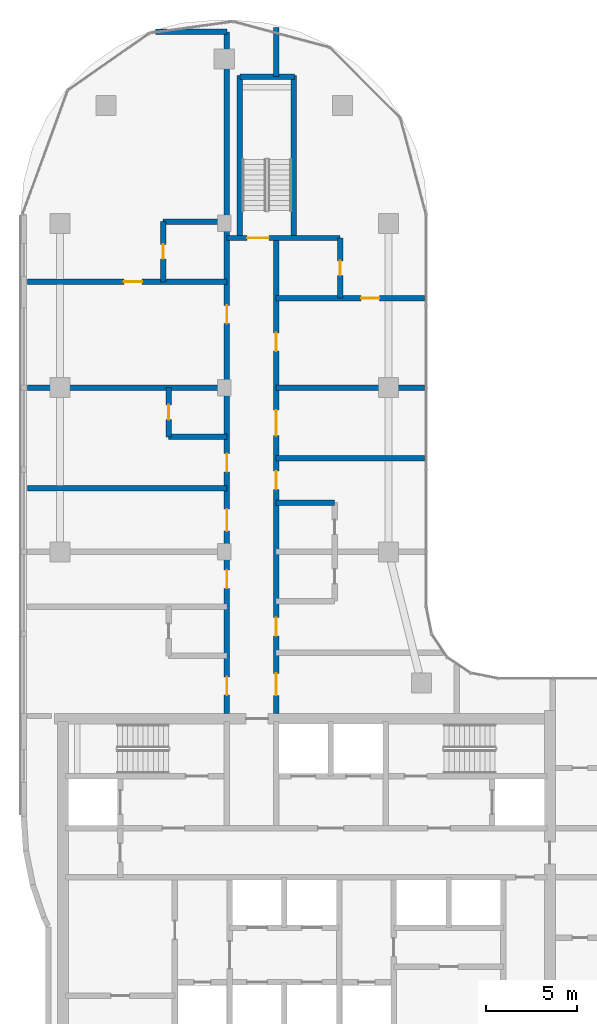
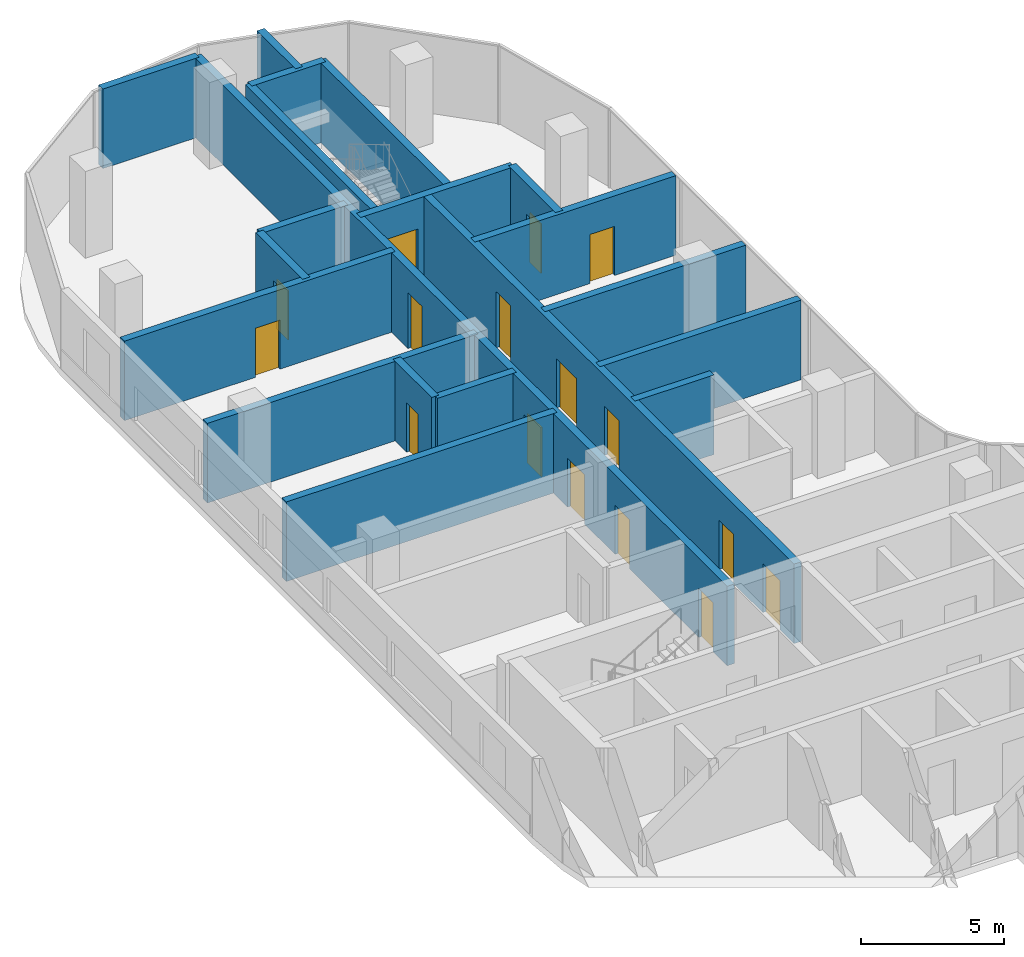
# One storey, part 13 of 23: 20 walls, 16 doors, 16 openings.
"""IFC4 building model written with IfcOpenShell, lengths in metres."""

from ifc_helpers import new_model, si_unit, direction, frame, frame_2d, origin, place, context, subcontext, project, spatial, rectangle, extrude, material, layer, layer_set, type_object, element, fill, save


model = new_model("IFC4")

# Units and contexts
model_context = context("Model", 3, precision=1e-05, world=origin(), true_north=direction((0.0, 1.0)))
body_context = subcontext(model_context, "Body", "Model", "MODEL_VIEW")
ifc_project = project(units=[si_unit("LENGTHUNIT", "METRE"), si_unit("AREAUNIT", "SQUARE_METRE"), si_unit("VOLUMEUNIT", "CUBIC_METRE"), si_unit("PLANEANGLEUNIT", "RADIAN"), si_unit("MASSUNIT", "GRAM", prefix="KILO")], contexts=[model_context])

# Site, building, storey
site_placement = place(None, origin())
site = spatial("IfcSite", under=ifc_project, at=site_placement, CompositionType="ELEMENT")
building_placement = place(site_placement, origin())
building = spatial("IfcBuilding", under=site, at=building_placement, Name="Ogive Portal Towers", CompositionType="ELEMENT")
storey_placement = place(building_placement, frame((0.0, 0.0, 175.5)))
storey = spatial("IfcBuildingStorey", under=building, at=storey_placement, Name="L43", CompositionType="ELEMENT", Elevation=175.5)

# Wall, opening, door
ifc_material_1 = material(Name="Concrete C50/60", Category="concrete")
ifc_layer_1 = layer(ifc_material_1, 0.300048828125)
ifc_layer_set_1 = layer_set([ifc_layer_1], Name="STAIR WALL 300 C50")
wall_type_1 = type_object("IfcWallType", Name="STAIR WALL 300 C50", PredefinedType="SHEAR", material=ifc_layer_set_1)
wall_1_placement = place(storey_placement, frame((40.64990234375, 65.699951171875, 0.0), z_axis=(0.0, 0.0, 1.0), x_axis=(1.0, 0.0, 0.0)))
wall_1 = element("IfcWall", 1, at=wall_1_placement, inside=storey, type_object=wall_type_1, Name="Stair wall ST-A3 L43", PredefinedType="SHEAR", context=body_context, shape_type="SweptSolid", body=[
    extrude(rectangle(XDim=6.2001953125, YDim=0.300048828125, at=frame_2d((3.10009765625, 0.0))), origin(), (0.0, 0.0, 1.0), 3.39990234375),
])
opening_1_placement = place(wall_1_placement, frame((1.10009765625, 0.0, 0.0)))
opening_1 = element("IfcOpeningElement", 2, at=opening_1_placement, cuts=wall_1, Name="Opening D18-053", PredefinedType="OPENING", context=body_context, shape_type="SweptSolid", body=[
    extrude(rectangle(XDim=1.199951171875, YDim=2.10009765625, at=frame_2d((0.60009765625, 1.050048828125))), frame((0.0, 0.16015625, 0.0), z_axis=(0.0, -1.0, 0.0), x_axis=(1.0, 0.0, 0.0)), (0.0, 0.0, 1.0), 0.320068359375),
])
ifc_material_2 = material(Name="Steel fire door", Category="steel")
door_type_1 = type_object("IfcDoorType", Name="DT-STAIR-1200x2100-FD90S", OperationType="SINGLE_SWING_LEFT", PredefinedType="DOOR", material=ifc_material_2)
door_1_placement = place(opening_1_placement, origin())
door_1 = element("IfcDoor", 3, at=door_1_placement, inside=storey, type_object=door_type_1, Name="Door D18-053", OperationType="SINGLE_SWING_RIGHT", OverallHeight=2.10009765625, OverallWidth=1.199951171875, PredefinedType="DOOR", context=body_context, shape_type="SweptSolid", body=[
    extrude(rectangle(XDim=1.199951171875, YDim=2.10009765625, at=frame_2d((0.60009765625, 1.050048828125))), frame((0.0, 0.02490234375, 0.0), z_axis=(0.0, -1.0, 0.0), x_axis=(1.0, 0.0, 0.0)), (0.0, 0.0, 1.0), 0.050048828125),
])
fill(opening_1, door_1)

# Walls
wall_2_placement = place(storey_placement, frame((41.35009765625, 74.550048828125, 0.0), z_axis=(0.0, 0.0, 1.0), x_axis=(1.0, 0.0, 0.0)))
element("IfcWall", 4, at=wall_2_placement, inside=storey, type_object=wall_type_1, Name="Stair wall ST-A3 L43", PredefinedType="SHEAR", context=body_context, shape_type="SweptSolid", body=[
    extrude(rectangle(XDim=3.0, YDim=0.300048828125, at=frame_2d((1.5, 0.0))), origin(), (0.0, 0.0, 1.0), 3.39990234375),
])
wall_3_placement = place(storey_placement, frame((41.35009765625, 65.75, 0.0), z_axis=(0.0, 0.0, 1.0), x_axis=(0.0, 1.0, 0.0)))
element("IfcWall", 5, at=wall_3_placement, inside=storey, type_object=wall_type_1, Name="Stair wall ST-A3 L43", PredefinedType="SHEAR", context=body_context, shape_type="SweptSolid", body=[
    extrude(rectangle(XDim=8.85009765625, YDim=0.300048828125, at=frame_2d((4.425048828125, 0.0))), origin(), (0.0, 0.0, 1.0), 3.39990234375),
])
wall_4_placement = place(storey_placement, frame((44.300048828125, 65.699951171875, 0.0), z_axis=(0.0, 0.0, 1.0), x_axis=(0.0, 1.0, 0.0)))
element("IfcWall", 6, at=wall_4_placement, inside=storey, type_object=wall_type_1, Name="Stair wall ST-A3 L43", PredefinedType="SHEAR", context=body_context, shape_type="SweptSolid", body=[
    extrude(rectangle(XDim=8.900146484375, YDim=0.300048828125, at=frame_2d((4.4501953125, 0.0))), origin(), (0.0, 0.0, 1.0), 3.39990234375),
])
ifc_material_3 = material(Name="Gypsum board partition on steel studs", Category="steel")
ifc_layer_2 = layer(ifc_material_3, 0.300048828125)
ifc_layer_set_2 = layer_set([ifc_layer_2], Name="WT-PART-300-EI 60")
wall_type_2 = type_object("IfcWallType", Name="WT-PART-300-EI 60", PredefinedType="PARTITIONING", material=ifc_layer_set_2)
wall_5_placement = place(storey_placement, frame((43.35009765625, 51.199951171875, 0.0), z_axis=(0.0, 0.0, 1.0), x_axis=(1.0, 0.0, 0.0)))
element("IfcWall", 7, at=wall_5_placement, inside=storey, type_object=wall_type_2, Name="Wall L43:w020", PredefinedType="PARTITIONING", context=body_context, shape_type="SweptSolid", body=[
    extrude(rectangle(XDim=3.199951171875, YDim=0.300048828125, at=frame_2d((1.60009765625, 0.0))), origin(), (0.0, 0.0, 1.0), 3.39990234375),
])
wall_6_placement = place(storey_placement, frame((29.705078125, 51.969970703125, 0.0), z_axis=(0.0, 0.0, 1.0), x_axis=(1.0, 0.0, 0.0)))
element("IfcWall", 8, at=wall_6_placement, inside=storey, type_object=wall_type_2, Name="Wall L43:w021", PredefinedType="PARTITIONING", context=body_context, shape_type="SweptSolid", body=[
    extrude(rectangle(XDim=10.94482421875, YDim=0.300048828125, at=frame_2d((5.472412109375, 0.0))), origin(), (0.0, 0.0, 1.0), 3.39990234375),
])
wall_7_placement = place(storey_placement, frame((43.35009765625, 53.6298828125, 0.0), z_axis=(0.0, 0.0, 1.0), x_axis=(1.0, 0.0, 0.0)))
element("IfcWall", 9, at=wall_7_placement, inside=storey, type_object=wall_type_2, Name="Wall L43:w022", PredefinedType="PARTITIONING", context=body_context, shape_type="SweptSolid", body=[
    extrude(rectangle(XDim=8.125, YDim=0.300048828125, at=frame_2d((4.0625, 0.0))), origin(), (0.0, 0.0, 1.0), 3.39990234375),
])
wall_8_placement = place(storey_placement, frame((37.449951171875, 54.800048828125, 0.0), z_axis=(0.0, 0.0, 1.0), x_axis=(1.0, 0.0, 0.0)))
element("IfcWall", 10, at=wall_8_placement, inside=storey, type_object=wall_type_2, Name="Wall L43:w023", PredefinedType="PARTITIONING", context=body_context, shape_type="SweptSolid", body=[
    extrude(rectangle(XDim=3.199951171875, YDim=0.300048828125, at=frame_2d((1.60009765625, 0.0))), origin(), (0.0, 0.0, 1.0), 3.39990234375),
])
wall_9_placement = place(storey_placement, frame((29.705078125, 57.5, 0.0), z_axis=(0.0, 0.0, 1.0), x_axis=(1.0, 0.0, 0.0)))
element("IfcWall", 11, at=wall_9_placement, inside=storey, type_object=wall_type_2, Name="Wall L43:w024", PredefinedType="PARTITIONING", context=body_context, shape_type="SweptSolid", body=[
    extrude(rectangle(XDim=10.94482421875, YDim=0.300048828125, at=frame_2d((5.472412109375, 0.0))), origin(), (0.0, 0.0, 1.0), 3.39990234375),
])
wall_10_placement = place(storey_placement, frame((43.35009765625, 57.5, 0.0), z_axis=(0.0, 0.0, 1.0), x_axis=(1.0, 0.0, 0.0)))
element("IfcWall", 12, at=wall_10_placement, inside=storey, type_object=wall_type_2, Name="Wall L43:w025", PredefinedType="PARTITIONING", context=body_context, shape_type="SweptSolid", body=[
    extrude(rectangle(XDim=8.125, YDim=0.300048828125, at=frame_2d((4.0625, 0.0))), origin(), (0.0, 0.0, 1.0), 3.39990234375),
])

# Wall, opening, door
wall_11_placement = place(storey_placement, frame((43.35009765625, 62.39990234375, 0.0), z_axis=(0.0, 0.0, 1.0), x_axis=(1.0, 0.0, 0.0)))
wall_11 = element("IfcWall", 13, at=wall_11_placement, inside=storey, type_object=wall_type_2, Name="Wall L43:w026", PredefinedType="PARTITIONING", context=body_context, shape_type="SweptSolid", body=[
    extrude(rectangle(XDim=8.125, YDim=0.300048828125, at=frame_2d((4.0625, 0.0))), origin(), (0.0, 0.0, 1.0), 3.39990234375),
])
opening_2_placement = place(wall_11_placement, frame((4.64990234375, 0.0, 0.0)))
opening_2 = element("IfcOpeningElement", 14, at=opening_2_placement, cuts=wall_11, Name="Opening D18-044", PredefinedType="OPENING", context=body_context, shape_type="SweptSolid", body=[
    extrude(rectangle(XDim=1.0, YDim=2.10009765625, at=frame_2d((0.5, 1.050048828125))), frame((0.0, 0.16015625, 0.0), z_axis=(0.0, -1.0, 0.0), x_axis=(1.0, 0.0, 0.0)), (0.0, 0.0, 1.0), 0.320068359375),
])
door_type_2 = type_object("IfcDoorType", Name="DT-ENTRY-1000x2100-FD60S", OperationType="SINGLE_SWING_LEFT", PredefinedType="DOOR", material=ifc_material_2)
door_2_placement = place(opening_2_placement, origin())
door_2 = element("IfcDoor", 15, at=door_2_placement, inside=storey, type_object=door_type_2, Name="Door D18-044", OperationType="SINGLE_SWING_RIGHT", OverallHeight=2.10009765625, OverallWidth=1.0, PredefinedType="DOOR", context=body_context, shape_type="SweptSolid", body=[
    extrude(rectangle(XDim=1.0, YDim=2.10009765625, at=frame_2d((0.5, 1.050048828125))), frame((0.0, 0.02490234375, 0.0), z_axis=(0.0, -1.0, 0.0), x_axis=(1.0, 0.0, 0.0)), (0.0, 0.0, 1.0), 0.050048828125),
])
fill(opening_2, door_2)

wall_12_placement = place(storey_placement, frame((29.705078125, 63.300048828125, 0.0), z_axis=(0.0, 0.0, 1.0), x_axis=(1.0, 0.0, 0.0)))
wall_12 = element("IfcWall", 16, at=wall_12_placement, inside=storey, type_object=wall_type_2, Name="Wall L43:w027", PredefinedType="PARTITIONING", context=body_context, shape_type="SweptSolid", body=[
    extrude(rectangle(XDim=10.94482421875, YDim=0.300048828125, at=frame_2d((5.472412109375, 0.0))), origin(), (0.0, 0.0, 1.0), 3.39990234375),
])
opening_3_placement = place(wall_12_placement, frame((5.294921875, 0.0, 0.0)))
opening_3 = element("IfcOpeningElement", 17, at=opening_3_placement, cuts=wall_12, Name="Opening D18-047", PredefinedType="OPENING", context=body_context, shape_type="SweptSolid", body=[
    extrude(rectangle(XDim=1.0, YDim=2.10009765625, at=frame_2d((0.5, 1.050048828125))), frame((0.0, 0.16015625, 0.0), z_axis=(0.0, -1.0, 0.0), x_axis=(1.0, 0.0, 0.0)), (0.0, 0.0, 1.0), 0.320068359375),
])
door_3_placement = place(opening_3_placement, origin())
door_3 = element("IfcDoor", 18, at=door_3_placement, inside=storey, type_object=door_type_2, Name="Door D18-047", OperationType="SINGLE_SWING_RIGHT", OverallHeight=2.10009765625, OverallWidth=1.0, PredefinedType="DOOR", context=body_context, shape_type="SweptSolid", body=[
    extrude(rectangle(XDim=1.0, YDim=2.10009765625, at=frame_2d((0.5, 1.050048828125))), frame((0.0, 0.02490234375, 0.0), z_axis=(0.0, -1.0, 0.0), x_axis=(1.0, 0.0, 0.0)), (0.0, 0.0, 1.0), 0.050048828125),
])
fill(opening_3, door_3)

# Walls
wall_13_placement = place(storey_placement, frame((37.14990234375, 66.60009765625, 0.0), z_axis=(0.0, 0.0, 1.0), x_axis=(1.0, 0.0, 0.0)))
element("IfcWall", 19, at=wall_13_placement, inside=storey, type_object=wall_type_2, Name="Wall L43:w029", PredefinedType="PARTITIONING", context=body_context, shape_type="SweptSolid", body=[
    extrude(rectangle(XDim=3.5, YDim=0.300048828125, at=frame_2d((1.75, 0.0))), origin(), (0.0, 0.0, 1.0), 3.39990234375),
])
wall_14_placement = place(storey_placement, frame((36.743896484375, 77.0, 0.0), z_axis=(0.0, 0.0, 1.0), x_axis=(1.0, 0.0, 0.0)))
element("IfcWall", 20, at=wall_14_placement, inside=storey, type_object=wall_type_2, Name="Wall L43:w031", PredefinedType="PARTITIONING", context=body_context, shape_type="SweptSolid", body=[
    extrude(rectangle(XDim=3.906005859375, YDim=0.300048828125, at=frame_2d((1.953125, 0.0))), origin(), (0.0, 0.0, 1.0), 3.39990234375),
])

# Wall, opening, door
wall_15_placement = place(storey_placement, frame((37.14990234375, 63.300048828125, 0.0), z_axis=(0.0, 0.0, 1.0), x_axis=(0.0, 1.0, 0.0)))
wall_15 = element("IfcWall", 21, at=wall_15_placement, inside=storey, type_object=wall_type_2, Name="Wall L43:w032", PredefinedType="PARTITIONING", context=body_context, shape_type="SweptSolid", body=[
    extrude(rectangle(XDim=3.300048828125, YDim=0.300048828125, at=frame_2d((1.64990234375, 0.0))), origin(), (0.0, 0.0, 1.0), 3.39990234375),
])
opening_4_placement = place(wall_15_placement, frame((1.25, 0.0, 0.0)))
opening_4 = element("IfcOpeningElement", 22, at=opening_4_placement, cuts=wall_15, Name="Opening D18-048", PredefinedType="OPENING", context=body_context, shape_type="SweptSolid", body=[
    extrude(rectangle(XDim=0.800048828125, YDim=2.10009765625, at=frame_2d((0.39990234375, 1.050048828125))), frame((0.0, 0.16015625, 0.0), z_axis=(0.0, -1.0, 0.0), x_axis=(1.0, 0.0, 0.0)), (0.0, 0.0, 1.0), 0.320068359375),
])
door_type_3 = type_object("IfcDoorType", Name="DT-BATH-800x2100-FD60S", OperationType="SINGLE_SWING_LEFT", PredefinedType="DOOR", material=ifc_material_2)
door_4_placement = place(opening_4_placement, origin())
door_4 = element("IfcDoor", 23, at=door_4_placement, inside=storey, type_object=door_type_3, Name="Door D18-048", OperationType="SINGLE_SWING_LEFT", OverallHeight=2.10009765625, OverallWidth=0.800048828125, PredefinedType="DOOR", context=body_context, shape_type="SweptSolid", body=[
    extrude(rectangle(XDim=0.800048828125, YDim=2.10009765625, at=frame_2d((0.39990234375, 1.050048828125))), frame((0.0, 0.02490234375, 0.0), z_axis=(0.0, -1.0, 0.0), x_axis=(1.0, 0.0, 0.0)), (0.0, 0.0, 1.0), 0.050048828125),
])
fill(opening_4, door_4)

wall_16_placement = place(storey_placement, frame((37.449951171875, 54.800048828125, 0.0), z_axis=(0.0, 0.0, 1.0), x_axis=(0.0, 1.0, 0.0)))
wall_16 = element("IfcWall", 24, at=wall_16_placement, inside=storey, type_object=wall_type_2, Name="Wall L43:w034", PredefinedType="PARTITIONING", context=body_context, shape_type="SweptSolid", body=[
    extrude(rectangle(XDim=2.699951171875, YDim=0.300048828125, at=frame_2d((1.35009765625, 0.0))), origin(), (0.0, 0.0, 1.0), 3.39990234375),
])
opening_5_placement = place(wall_16_placement, frame((0.949951171875, 0.0, 0.0)))
opening_5 = element("IfcOpeningElement", 25, at=opening_5_placement, cuts=wall_16, Name="Opening D18-041", PredefinedType="OPENING", context=body_context, shape_type="SweptSolid", body=[
    extrude(rectangle(XDim=0.800048828125, YDim=2.10009765625, at=frame_2d((0.39990234375, 1.050048828125))), frame((0.0, 0.16015625, 0.0), z_axis=(0.0, -1.0, 0.0), x_axis=(1.0, 0.0, 0.0)), (0.0, 0.0, 1.0), 0.320068359375),
])
door_5_placement = place(opening_5_placement, origin())
door_5 = element("IfcDoor", 26, at=door_5_placement, inside=storey, type_object=door_type_3, Name="Door D18-041", OperationType="SINGLE_SWING_LEFT", OverallHeight=2.10009765625, OverallWidth=0.800048828125, PredefinedType="DOOR", context=body_context, shape_type="SweptSolid", body=[
    extrude(rectangle(XDim=0.800048828125, YDim=2.10009765625, at=frame_2d((0.39990234375, 1.050048828125))), frame((0.0, 0.02490234375, 0.0), z_axis=(0.0, -1.0, 0.0), x_axis=(1.0, 0.0, 0.0)), (0.0, 0.0, 1.0), 0.050048828125),
])
fill(opening_5, door_5)

# Wall, openings, doors
wall_17_placement = place(storey_placement, frame((40.64990234375, 39.64990234375, 0.0), z_axis=(0.0, 0.0, 1.0), x_axis=(0.0, 1.0, 0.0)))
wall_17 = element("IfcWall", 27, at=wall_17_placement, inside=storey, type_object=wall_type_2, Name="Wall L43:w035", PredefinedType="PARTITIONING", context=body_context, shape_type="SweptSolid", body=[
    extrude(rectangle(XDim=37.35009765625, YDim=0.300048828125, at=frame_2d((18.675048828125, 0.0))), origin(), (0.0, 0.0, 1.0), 3.39990234375),
])
opening_6_placement = place(wall_17_placement, frame((1.0, 0.0, 0.0)))
opening_6 = element("IfcOpeningElement", 28, at=opening_6_placement, cuts=wall_17, Name="Opening D18-035", PredefinedType="OPENING", context=body_context, shape_type="SweptSolid", body=[
    extrude(rectangle(XDim=1.0, YDim=2.10009765625, at=frame_2d((0.5, 1.050048828125))), frame((0.0, 0.16015625, 0.0), z_axis=(0.0, -1.0, 0.0), x_axis=(1.0, 0.0, 0.0)), (0.0, 0.0, 1.0), 0.320068359375),
])
opening_7_placement = place(wall_17_placement, frame((6.85009765625, 0.0, 0.0)))
opening_7 = element("IfcOpeningElement", 29, at=opening_7_placement, cuts=wall_17, Name="Opening D18-036", PredefinedType="OPENING", context=body_context, shape_type="SweptSolid", body=[
    extrude(rectangle(XDim=1.0, YDim=2.10009765625, at=frame_2d((0.5, 1.050048828125))), frame((0.0, 0.16015625, 0.0), z_axis=(0.0, -1.0, 0.0), x_axis=(1.0, 0.0, 0.0)), (0.0, 0.0, 1.0), 0.320068359375),
])
opening_8_placement = place(wall_17_placement, frame((9.985107421875, 0.0, 0.0)))
opening_8 = element("IfcOpeningElement", 30, at=opening_8_placement, cuts=wall_17, Name="Opening D18-040", PredefinedType="OPENING", context=body_context, shape_type="SweptSolid", body=[
    extrude(rectangle(XDim=1.199951171875, YDim=2.10009765625, at=frame_2d((0.60009765625, 1.050048828125))), frame((0.0, 0.16015625, 0.0), z_axis=(0.0, -1.0, 0.0), x_axis=(1.0, 0.0, 0.0)), (0.0, 0.0, 1.0), 0.320068359375),
])
opening_9_placement = place(wall_17_placement, frame((13.235107421875, 0.0, 0.0)))
opening_9 = element("IfcOpeningElement", 31, at=opening_9_placement, cuts=wall_17, Name="Opening D18-042", PredefinedType="OPENING", context=body_context, shape_type="SweptSolid", body=[
    extrude(rectangle(XDim=1.0, YDim=2.10009765625, at=frame_2d((0.5, 1.050048828125))), frame((0.0, 0.16015625, 0.0), z_axis=(0.0, -1.0, 0.0), x_axis=(1.0, 0.0, 0.0)), (0.0, 0.0, 1.0), 0.320068359375),
])
opening_10_placement = place(wall_17_placement, frame((21.35009765625, 0.0, 0.0)))
opening_10 = element("IfcOpeningElement", 32, at=opening_10_placement, cuts=wall_17, Name="Opening D18-046", PredefinedType="OPENING", context=body_context, shape_type="SweptSolid", body=[
    extrude(rectangle(XDim=1.0, YDim=2.39990234375, at=frame_2d((0.5, 1.199951171875))), frame((0.0, 0.16015625, 0.0), z_axis=(0.0, -1.0, 0.0), x_axis=(1.0, 0.0, 0.0)), (0.0, 0.0, 1.0), 0.320068359375),
])
door_6_placement = place(opening_6_placement, origin())
door_6 = element("IfcDoor", 33, at=door_6_placement, inside=storey, type_object=door_type_2, Name="Door D18-035", OperationType="SINGLE_SWING_LEFT", OverallHeight=2.10009765625, OverallWidth=1.0, PredefinedType="DOOR", context=body_context, shape_type="SweptSolid", body=[
    extrude(rectangle(XDim=1.0, YDim=2.10009765625, at=frame_2d((0.5, 1.050048828125))), frame((0.0, 0.02490234375, 0.0), z_axis=(0.0, -1.0, 0.0), x_axis=(1.0, 0.0, 0.0)), (0.0, 0.0, 1.0), 0.050048828125),
])
fill(opening_6, door_6)
door_7_placement = place(opening_7_placement, origin())
door_7 = element("IfcDoor", 34, at=door_7_placement, inside=storey, type_object=door_type_2, Name="Door D18-036", OperationType="SINGLE_SWING_LEFT", OverallHeight=2.10009765625, OverallWidth=1.0, PredefinedType="DOOR", context=body_context, shape_type="SweptSolid", body=[
    extrude(rectangle(XDim=1.0, YDim=2.10009765625, at=frame_2d((0.5, 1.050048828125))), frame((0.0, 0.02490234375, 0.0), z_axis=(0.0, -1.0, 0.0), x_axis=(1.0, 0.0, 0.0)), (0.0, 0.0, 1.0), 0.050048828125),
])
fill(opening_7, door_7)
door_8_placement = place(opening_9_placement, origin())
door_8 = element("IfcDoor", 35, at=door_8_placement, inside=storey, type_object=door_type_2, Name="Door D18-042", OperationType="SINGLE_SWING_RIGHT", OverallHeight=2.10009765625, OverallWidth=1.0, PredefinedType="DOOR", context=body_context, shape_type="SweptSolid", body=[
    extrude(rectangle(XDim=1.0, YDim=2.10009765625, at=frame_2d((0.5, 1.050048828125))), frame((0.0, 0.02490234375, 0.0), z_axis=(0.0, -1.0, 0.0), x_axis=(1.0, 0.0, 0.0)), (0.0, 0.0, 1.0), 0.050048828125),
])
fill(opening_9, door_8)
door_type_4 = type_object("IfcDoorType", Name="DT-ENTRY-1000x2400-FD60S", OperationType="SINGLE_SWING_LEFT", PredefinedType="DOOR", material=ifc_material_2)
door_9_placement = place(opening_10_placement, origin())
door_9 = element("IfcDoor", 36, at=door_9_placement, inside=storey, type_object=door_type_4, Name="Door D18-046", OperationType="SINGLE_SWING_LEFT", OverallHeight=2.39990234375, OverallWidth=1.0, PredefinedType="DOOR", context=body_context, shape_type="SweptSolid", body=[
    extrude(rectangle(XDim=1.0, YDim=2.39990234375, at=frame_2d((0.5, 1.199951171875))), frame((0.0, 0.02490234375, 0.0), z_axis=(0.0, -1.0, 0.0), x_axis=(1.0, 0.0, 0.0)), (0.0, 0.0, 1.0), 0.050048828125),
])
fill(opening_10, door_9)
door_type_5 = type_object("IfcDoorType", Name="DT-ENTRY-1200x2100-FD60S", OperationType="SINGLE_SWING_LEFT", PredefinedType="DOOR", material=ifc_material_2)
door_10_placement = place(opening_8_placement, origin())
door_10 = element("IfcDoor", 37, at=door_10_placement, inside=storey, type_object=door_type_5, Name="Door D18-040", OperationType="SINGLE_SWING_LEFT", OverallHeight=2.10009765625, OverallWidth=1.199951171875, PredefinedType="DOOR", context=body_context, shape_type="SweptSolid", body=[
    extrude(rectangle(XDim=1.199951171875, YDim=2.10009765625, at=frame_2d((0.60009765625, 1.050048828125))), frame((0.0, 0.02490234375, 0.0), z_axis=(0.0, -1.0, 0.0), x_axis=(1.0, 0.0, 0.0)), (0.0, 0.0, 1.0), 0.050048828125),
])
fill(opening_8, door_10)

# Wall, opening, door
wall_18_placement = place(storey_placement, frame((46.85009765625, 62.39990234375, 0.0), z_axis=(0.0, 0.0, 1.0), x_axis=(0.0, 1.0, 0.0)))
wall_18 = element("IfcWall", 38, at=wall_18_placement, inside=storey, type_object=wall_type_2, Name="Wall L43:w041", PredefinedType="PARTITIONING", context=body_context, shape_type="SweptSolid", body=[
    extrude(rectangle(XDim=3.300048828125, YDim=0.300048828125, at=frame_2d((1.64990234375, 0.0))), origin(), (0.0, 0.0, 1.0), 3.39990234375),
])
opening_11_placement = place(wall_18_placement, frame((1.25, 0.0, 0.0)))
opening_11 = element("IfcOpeningElement", 39, at=opening_11_placement, cuts=wall_18, Name="Opening D18-045", PredefinedType="OPENING", context=body_context, shape_type="SweptSolid", body=[
    extrude(rectangle(XDim=0.800048828125, YDim=2.10009765625, at=frame_2d((0.39990234375, 1.050048828125))), frame((0.0, 0.16015625, 0.0), z_axis=(0.0, -1.0, 0.0), x_axis=(1.0, 0.0, 0.0)), (0.0, 0.0, 1.0), 0.320068359375),
])
door_11_placement = place(opening_11_placement, origin())
door_11 = element("IfcDoor", 40, at=door_11_placement, inside=storey, type_object=door_type_3, Name="Door D18-045", OperationType="SINGLE_SWING_LEFT", OverallHeight=2.10009765625, OverallWidth=0.800048828125, PredefinedType="DOOR", context=body_context, shape_type="SweptSolid", body=[
    extrude(rectangle(XDim=0.800048828125, YDim=2.10009765625, at=frame_2d((0.39990234375, 1.050048828125))), frame((0.0, 0.02490234375, 0.0), z_axis=(0.0, -1.0, 0.0), x_axis=(1.0, 0.0, 0.0)), (0.0, 0.0, 1.0), 0.050048828125),
])
fill(opening_11, door_11)

# Wall, openings, doors
ifc_material_4 = material(Name="Concrete C40/50", Category="concrete")
ifc_layer_3 = layer(ifc_material_4, 0.300048828125)
ifc_layer_set_3 = layer_set([ifc_layer_3], Name="WT-SHAFT-300")
wall_type_3 = type_object("IfcWallType", Name="WT-SHAFT-300", PredefinedType="SOLIDWALL", material=ifc_layer_set_3)
wall_19_placement = place(storey_placement, frame((43.35009765625, 39.64990234375, 0.0), z_axis=(0.0, 0.0, 1.0), x_axis=(0.0, 1.0, 0.0)))
wall_19 = element("IfcWall", 41, at=wall_19_placement, inside=storey, type_object=wall_type_3, Name="Wall L43:w037", PredefinedType="SOLIDWALL", context=body_context, shape_type="SweptSolid", body=[
    extrude(rectangle(XDim=26.10009765625, YDim=0.300048828125, at=frame_2d((13.050048828125, 0.0))), origin(), (0.0, 0.0, 1.0), 3.39990234375),
])
opening_12_placement = place(wall_19_placement, frame((0.985107421875, 0.0, 0.0)))
opening_12 = element("IfcOpeningElement", 42, at=opening_12_placement, cuts=wall_19, Name="Opening D18-031", PredefinedType="OPENING", context=body_context, shape_type="SweptSolid", body=[
    extrude(rectangle(XDim=1.199951171875, YDim=2.10009765625, at=frame_2d((0.60009765625, 1.050048828125))), frame((0.0, 0.16015625, 0.0), z_axis=(0.0, -1.0, 0.0), x_axis=(1.0, 0.0, 0.0)), (0.0, 0.0, 1.0), 0.320068359375),
])
opening_13_placement = place(wall_19_placement, frame((4.235107421875, 0.0, 0.0)))
opening_13 = element("IfcOpeningElement", 43, at=opening_13_placement, cuts=wall_19, Name="Opening D18-033", PredefinedType="OPENING", context=body_context, shape_type="SweptSolid", body=[
    extrude(rectangle(XDim=1.0, YDim=2.10009765625, at=frame_2d((0.5, 1.050048828125))), frame((0.0, 0.16015625, 0.0), z_axis=(0.0, -1.0, 0.0), x_axis=(1.0, 0.0, 0.0)), (0.0, 0.0, 1.0), 0.320068359375),
])
opening_14_placement = place(wall_19_placement, frame((12.264892578125, 0.0, 0.0)))
opening_14 = element("IfcOpeningElement", 44, at=opening_14_placement, cuts=wall_19, Name="Opening D18-038", PredefinedType="OPENING", context=body_context, shape_type="SweptSolid", body=[
    extrude(rectangle(XDim=1.0, YDim=2.10009765625, at=frame_2d((0.5, 1.050048828125))), frame((0.0, 0.16015625, 0.0), z_axis=(0.0, -1.0, 0.0), x_axis=(1.0, 0.0, 0.0)), (0.0, 0.0, 1.0), 0.320068359375),
])
opening_15_placement = place(wall_19_placement, frame((15.215087890625, 0.0, 0.0)))
opening_15 = element("IfcOpeningElement", 45, at=opening_15_placement, cuts=wall_19, Name="Opening D18-039", PredefinedType="OPENING", context=body_context, shape_type="SweptSolid", body=[
    extrude(rectangle(XDim=1.39990234375, YDim=2.10009765625, at=frame_2d((0.699951171875, 1.050048828125))), frame((0.0, 0.16015625, 0.0), z_axis=(0.0, -1.0, 0.0), x_axis=(1.0, 0.0, 0.0)), (0.0, 0.0, 1.0), 0.320068359375),
])
opening_16_placement = place(wall_19_placement, frame((19.85009765625, 0.0, 0.0)))
opening_16 = element("IfcOpeningElement", 46, at=opening_16_placement, cuts=wall_19, Name="Opening D18-043", PredefinedType="OPENING", context=body_context, shape_type="SweptSolid", body=[
    extrude(rectangle(XDim=1.0, YDim=2.39990234375, at=frame_2d((0.5, 1.199951171875))), frame((0.0, 0.16015625, 0.0), z_axis=(0.0, -1.0, 0.0), x_axis=(1.0, 0.0, 0.0)), (0.0, 0.0, 1.0), 0.320068359375),
])
door_type_6 = type_object("IfcDoorType", Name="DT-ENTRY-1000x2100-FD90S", OperationType="SINGLE_SWING_LEFT", PredefinedType="DOOR", material=ifc_material_2)
door_12_placement = place(opening_13_placement, origin())
door_12 = element("IfcDoor", 47, at=door_12_placement, inside=storey, type_object=door_type_6, Name="Door D18-033", OperationType="SINGLE_SWING_RIGHT", OverallHeight=2.10009765625, OverallWidth=1.0, PredefinedType="DOOR", context=body_context, shape_type="SweptSolid", body=[
    extrude(rectangle(XDim=1.0, YDim=2.10009765625, at=frame_2d((0.5, 1.050048828125))), frame((0.0, 0.02490234375, 0.0), z_axis=(0.0, -1.0, 0.0), x_axis=(1.0, 0.0, 0.0)), (0.0, 0.0, 1.0), 0.050048828125),
])
fill(opening_13, door_12)
door_13_placement = place(opening_14_placement, origin())
door_13 = element("IfcDoor", 48, at=door_13_placement, inside=storey, type_object=door_type_6, Name="Door D18-038", OperationType="SINGLE_SWING_LEFT", OverallHeight=2.10009765625, OverallWidth=1.0, PredefinedType="DOOR", context=body_context, shape_type="SweptSolid", body=[
    extrude(rectangle(XDim=1.0, YDim=2.10009765625, at=frame_2d((0.5, 1.050048828125))), frame((0.0, 0.02490234375, 0.0), z_axis=(0.0, -1.0, 0.0), x_axis=(1.0, 0.0, 0.0)), (0.0, 0.0, 1.0), 0.050048828125),
])
fill(opening_14, door_13)
door_type_7 = type_object("IfcDoorType", Name="DT-ENTRY-1000x2400-FD90S", OperationType="SINGLE_SWING_LEFT", PredefinedType="DOOR", material=ifc_material_2)
door_14_placement = place(opening_16_placement, origin())
door_14 = element("IfcDoor", 49, at=door_14_placement, inside=storey, type_object=door_type_7, Name="Door D18-043", OperationType="SINGLE_SWING_LEFT", OverallHeight=2.39990234375, OverallWidth=1.0, PredefinedType="DOOR", context=body_context, shape_type="SweptSolid", body=[
    extrude(rectangle(XDim=1.0, YDim=2.39990234375, at=frame_2d((0.5, 1.199951171875))), frame((0.0, 0.02490234375, 0.0), z_axis=(0.0, -1.0, 0.0), x_axis=(1.0, 0.0, 0.0)), (0.0, 0.0, 1.0), 0.050048828125),
])
fill(opening_16, door_14)
door_type_8 = type_object("IfcDoorType", Name="DT-ENTRY-1200x2100-FD90S", OperationType="SINGLE_SWING_LEFT", PredefinedType="DOOR", material=ifc_material_2)
door_15_placement = place(opening_12_placement, origin())
door_15 = element("IfcDoor", 50, at=door_15_placement, inside=storey, type_object=door_type_8, Name="Door D18-031", OperationType="SINGLE_SWING_LEFT", OverallHeight=2.10009765625, OverallWidth=1.199951171875, PredefinedType="DOOR", context=body_context, shape_type="SweptSolid", body=[
    extrude(rectangle(XDim=1.199951171875, YDim=2.10009765625, at=frame_2d((0.60009765625, 1.050048828125))), frame((0.0, 0.02490234375, 0.0), z_axis=(0.0, -1.0, 0.0), x_axis=(1.0, 0.0, 0.0)), (0.0, 0.0, 1.0), 0.050048828125),
])
fill(opening_12, door_15)
door_type_9 = type_object("IfcDoorType", Name="DT-ENTRY-1400x2100-FD90S", OperationType="SINGLE_SWING_LEFT", PredefinedType="DOOR", material=ifc_material_2)
door_16_placement = place(opening_15_placement, origin())
door_16 = element("IfcDoor", 51, at=door_16_placement, inside=storey, type_object=door_type_9, Name="Door D18-039", OperationType="SINGLE_SWING_LEFT", OverallHeight=2.10009765625, OverallWidth=1.39990234375, PredefinedType="DOOR", context=body_context, shape_type="SweptSolid", body=[
    extrude(rectangle(XDim=1.39990234375, YDim=2.10009765625, at=frame_2d((0.699951171875, 1.050048828125))), frame((0.0, 0.02490234375, 0.0), z_axis=(0.0, -1.0, 0.0), x_axis=(1.0, 0.0, 0.0)), (0.0, 0.0, 1.0), 0.050048828125),
])
fill(opening_15, door_16)

# Wall
wall_20_placement = place(storey_placement, frame((43.35009765625, 74.550048828125, 0.0), z_axis=(0.0, 0.0, 1.0), x_axis=(0.0, 1.0, 0.0)))
element("IfcWall", 52, at=wall_20_placement, inside=storey, type_object=wall_type_3, Name="Wall L43:w038", PredefinedType="SOLIDWALL", context=body_context, shape_type="SweptSolid", body=[
    extrude(rectangle(XDim=2.68505859375, YDim=0.300048828125, at=frame_2d((1.342529296875, 0.0))), origin(), (0.0, 0.0, 1.0), 3.39990234375),
])

save(model, "model.ifc")
